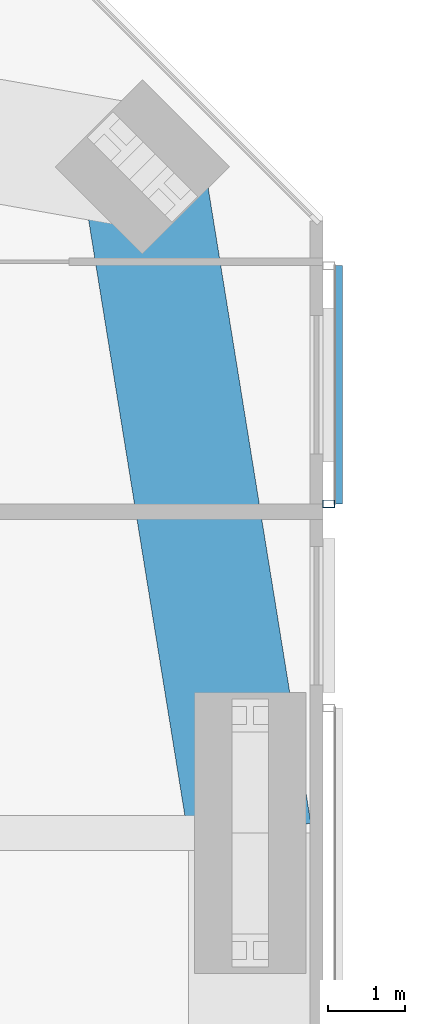
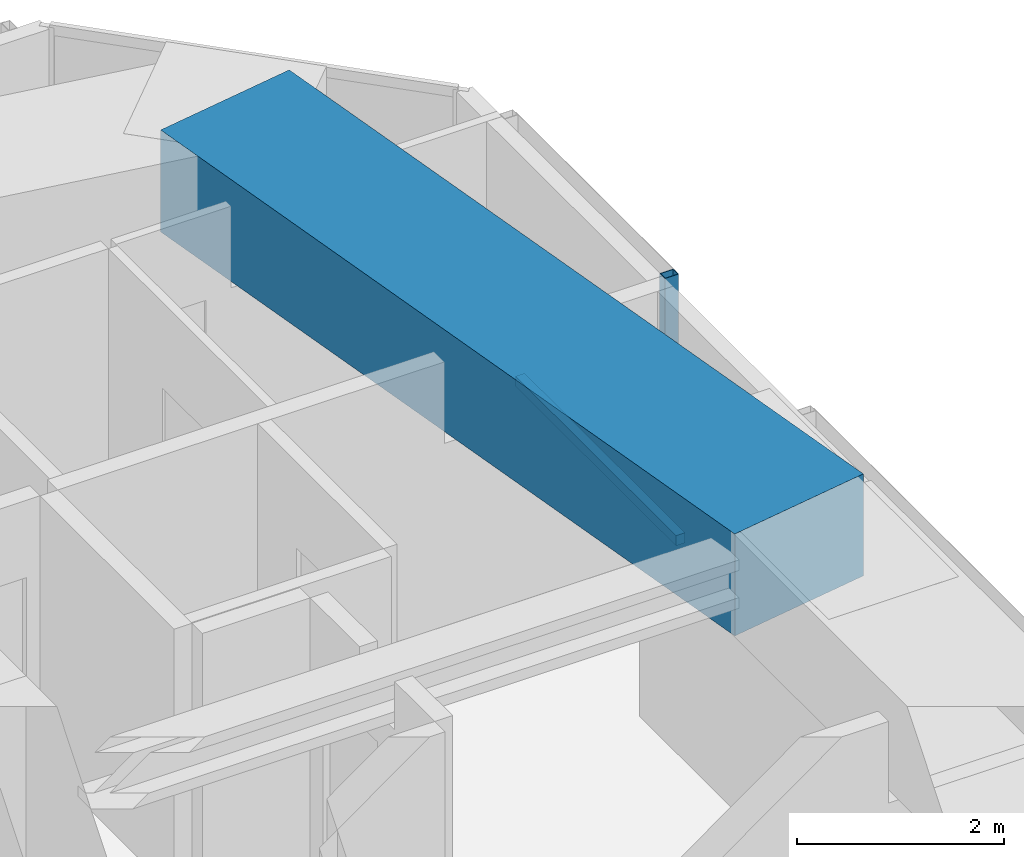
# One storey, part 10 of 23: 2 members, 1 beam, 1 element without a shape of its own.
"""IFC4 building model written with IfcOpenShell, lengths in metres."""

from ifc_helpers import new_model, si_unit, direction, frame, origin, origin_2d, place, context, subcontext, project, spatial, rectangle, hollow_rectangle, extrude, material, material_profile, profile_set, type_object, element, aggregate, save


model = new_model("IFC4")

# Units and contexts
model_context = context("Model", 3, precision=1e-05, world=origin(), true_north=direction((0.0, 1.0)))
body_context = subcontext(model_context, "Body", "Model", "MODEL_VIEW")
ifc_project = project(units=[si_unit("LENGTHUNIT", "METRE"), si_unit("AREAUNIT", "SQUARE_METRE"), si_unit("VOLUMEUNIT", "CUBIC_METRE"), si_unit("PLANEANGLEUNIT", "RADIAN"), si_unit("MASSUNIT", "GRAM", prefix="KILO")], contexts=[model_context])

# Site, building, storey
site_placement = place(None, origin())
site = spatial("IfcSite", under=ifc_project, at=site_placement, CompositionType="ELEMENT")
building_placement = place(site_placement, origin())
building = spatial("IfcBuilding", under=site, at=building_placement, Name="Jalousie Tower", CompositionType="ELEMENT")
storey_placement = place(building_placement, frame((0.0, 0.0, 184.5)))
storey = spatial("IfcBuildingStorey", under=building, at=storey_placement, Name="L50", CompositionType="ELEMENT", Elevation=184.5)

# Beam
ifc_material_1 = material(Name="Concrete f'c 40 MPa", Category="concrete")
ifc_material_profile_1 = material_profile(ifc_material_1, rectangle(XDim=1.60009765625, YDim=1.199951171875, at=origin_2d()), Name="RC 1600x1200")
ifc_profile_set_1 = profile_set([ifc_material_profile_1], Name="Concrete f'c 40 MPa")
beam_type = type_object("IfcBeamType", Name="RC BEAM 1600x1200", PredefinedType="BEAM", material=ifc_profile_set_1)
beam_placement = place(storey_placement, frame((52.050048828125, 25.0, 2.75), z_axis=(-0.159567878256, 0.987186959106, 0.0), x_axis=(-0.987186959106, -0.159567878256, 0.0)))
element("IfcBeam", 1, at=beam_placement, inside=storey, type_object=beam_type, Name="Edge band beam 07-08 under L51", PredefinedType="BEAM", context=body_context, shape_type="SweptSolid", body=[
    extrude(rectangle(XDim=1.60009765625, YDim=1.199951171875, at=origin_2d()), origin(), (0.0, 0.0, 1.0), 8.763916015625),
])

# Curtain wall, members
ifc_material_2 = material(Name="Perforated aluminium sheet", Category="aluminium")
curtain_wall_type = type_object("IfcCurtainWallType", Name="SOLAR SCREEN SS-1", PredefinedType="USERDEFINED", material=ifc_material_2)
curtain_wall_placement = place(storey_placement, origin())
curtain_wall = element("IfcCurtainWall", 2, at=curtain_wall_placement, inside=storey, type_object=curtain_wall_type, Name="Solar screen L50", ObjectType="SOLAR SCREEN SS-1", PredefinedType="USERDEFINED")
ifc_material_3 = material(Name="Steel ASTM A500 Grade C", Category="steel")
ifc_material_profile_2 = material_profile(ifc_material_3, hollow_rectangle(XDim=0.1015625, YDim=0.15234375, WallThickness=0.00634765625, at=origin_2d()), Name="HSS6X4X1/4")
ifc_profile_set_2 = profile_set([ifc_material_profile_2], Name="Steel ASTM A500 Grade C")
member_type_1 = type_object("IfcMemberType", Name="SOLAR SCREEN SS-1 MULLION", PredefinedType="MULLION", material=ifc_profile_set_2)
member_1_placement = place(storey_placement, frame((53.0712890625, 29.27490234375, -0.1201171875), z_axis=(0.0, 0.0, 1.0), x_axis=(0.0, 1.0, 0.0)))
member_1 = element("IfcMember", 3, at=member_1_placement, type_object=member_type_1, Name="SS1 post 1", PredefinedType="MULLION", context=body_context, shape_type="SweptSolid", body=[
    extrude(hollow_rectangle(XDim=0.1015625, YDim=0.15234375, WallThickness=0.00634765625, at=origin_2d()), origin(), (0.0, 0.0, 1.0), 3.230224609375),
])
ifc_material_4 = material(Name="Extruded aluminium screen rail", Category="aluminium")
ifc_material_profile_3 = material_profile(ifc_material_4, rectangle(XDim=0.1015625, YDim=0.1201171875, at=origin_2d()), Name="RAIL 102x120")
ifc_profile_set_3 = profile_set([ifc_material_profile_3], Name="Extruded aluminium screen rail")
member_type_2 = type_object("IfcMemberType", Name="SOLAR SCREEN SS-1 TRANSOM", PredefinedType="USERDEFINED", material=ifc_profile_set_3)
member_2_placement = place(storey_placement, frame((53.1982421875, 29.27490234375, -0.06005859375), z_axis=(0.0, 1.0, 0.0), x_axis=(-1.0, 0.0, 0.0)))
member_2 = element("IfcMember", 4, at=member_2_placement, type_object=member_type_2, Name="SS1 rail", ObjectType="TRANSOM", PredefinedType="USERDEFINED", context=body_context, shape_type="SweptSolid", body=[
    extrude(rectangle(XDim=0.1015625, YDim=0.1201171875, at=origin_2d()), origin(), (0.0, 0.0, 1.0), 3.09521484375),
])
aggregate(curtain_wall, [member_1, member_2])

save(model, "model.ifc")
